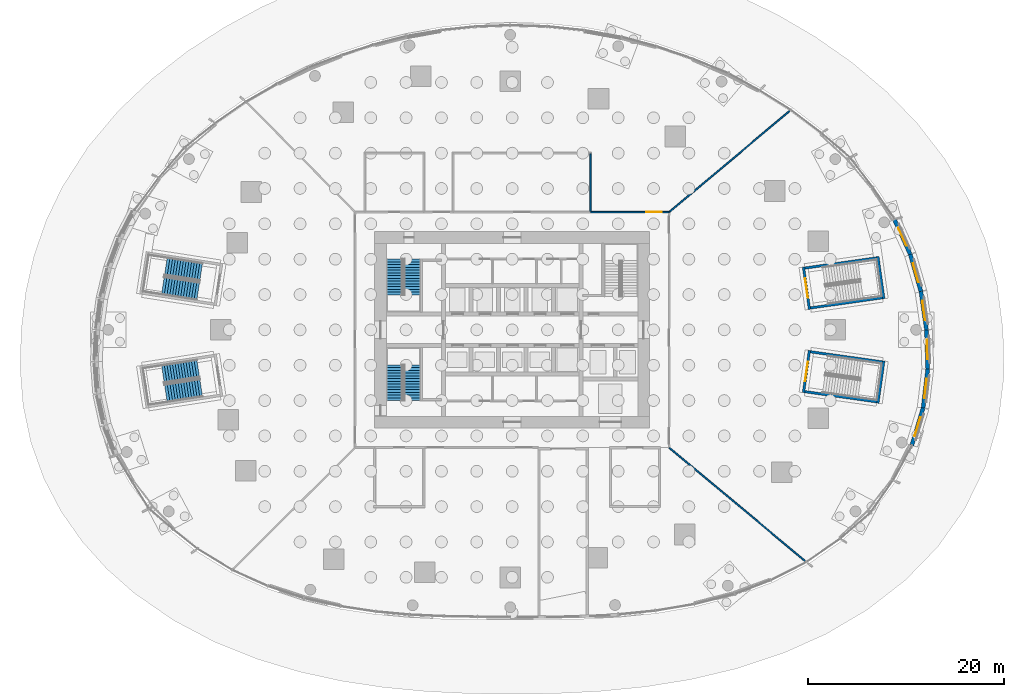
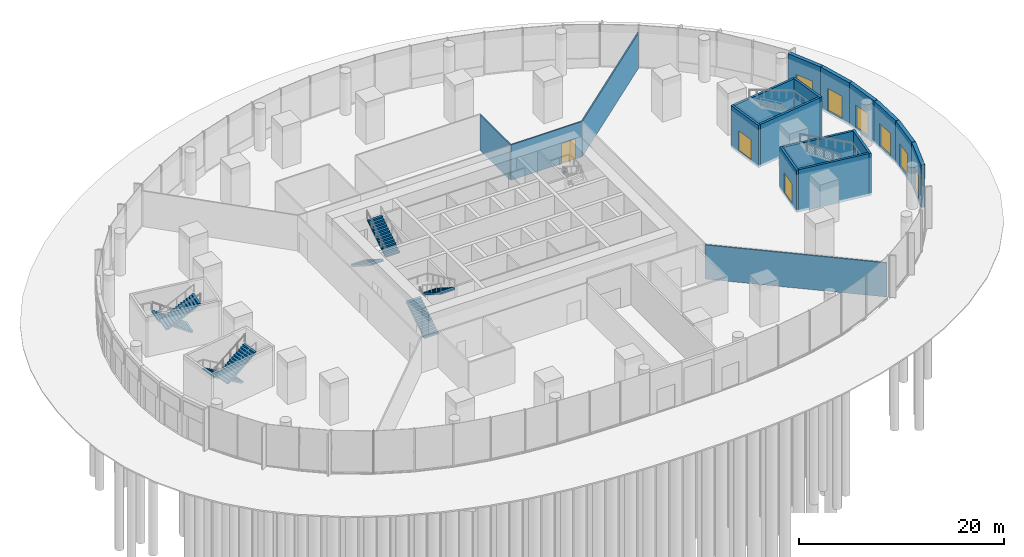
# One storey, part 15 of 29: 18 walls, 9 doors, 8 stair flights, 9 openings, 4 elements without a shape of their own.
"""IFC4 building model written with IfcOpenShell, lengths in metres."""

from ifc_helpers import new_model, si_unit, direction, frame, frame_2d, origin, place, context, subcontext, project, spatial, polyline, rectangle, outline, extrude, material, layer, layer_set, type_object, element, fill, aggregate, save


model = new_model("IFC4")

# Units and contexts
model_context = context("Model", 3, precision=1e-05, world=origin(), true_north=direction((0.0, 1.0)))
body_context = subcontext(model_context, "Body", "Model", "MODEL_VIEW")
ifc_project = project(units=[si_unit("LENGTHUNIT", "METRE"), si_unit("AREAUNIT", "SQUARE_METRE"), si_unit("VOLUMEUNIT", "CUBIC_METRE"), si_unit("PLANEANGLEUNIT", "RADIAN"), si_unit("MASSUNIT", "GRAM", prefix="KILO")], contexts=[model_context])

# Site, building, storey
site_placement = place(None, origin())
site = spatial("IfcSite", under=ifc_project, at=site_placement, CompositionType="ELEMENT")
building_placement = place(site_placement, origin())
building = spatial("IfcBuilding", under=site, at=building_placement, Name="Ghaith Harvest Tower", CompositionType="ELEMENT")
storey_placement = place(building_placement, origin())
storey = spatial("IfcBuildingStorey", under=building, at=storey_placement, Name="L00", CompositionType="ELEMENT", Elevation=0.0)

# Wall, opening, door
ifc_material_1 = material(Name="Concrete C40/50, board-marked", Category="concrete")
ifc_layer_1 = layer(ifc_material_1, 0.39990234375)
ifc_layer_set_1 = layer_set([ifc_layer_1], Name="ENTRANCE PORTAL WALL 400")
wall_type_1 = type_object("IfcWallType", Name="ENTRANCE PORTAL WALL 400", PredefinedType="SOLIDWALL", material=ifc_layer_set_1)
wall_1_placement = place(storey_placement, frame((42.199951171875, 0.0, -0.300048828125), z_axis=(0.0, 0.0, 1.0), x_axis=(-0.143450967236, 0.989657425577, 0.0)))
wall_1 = element("IfcWall", 1, at=wall_1_placement, inside=storey, type_object=wall_type_1, Name="Entrance portal wall 01.1", PredefinedType="SOLIDWALL", context=body_context, shape_type="SweptSolid", body=[
    extrude(rectangle(XDim=3.95703125, YDim=0.39990234375, at=frame_2d((1.978515625, 0.0))), origin(), (0.0, 0.0, 1.0), 5.080078125),
])
opening_1_placement = place(wall_1_placement, frame((0.978515625, 0.0, 0.300048828125)))
opening_1 = element("IfcOpeningElement", 2, at=opening_1_placement, cuts=wall_1, Name="Opening ED011", PredefinedType="OPENING", context=body_context, shape_type="SweptSolid", body=[
    extrude(rectangle(XDim=2.0, YDim=2.699951171875, at=frame_2d((1.0, 1.35009765625))), frame((0.0, 0.2099609375, 0.0), z_axis=(0.0, -1.0, 0.0), x_axis=(1.0, 0.0, 0.0)), (0.0, 0.0, 1.0), 0.419921875),
])
ifc_material_2 = material(Name="Steel and glass, black", Category="steel")
door_type_1 = type_object("IfcDoorType", Name="ENTRANCE DOOR PAIR 2000x2700", OperationType="DOUBLE_DOOR_DOUBLE_SWING", PredefinedType="DOOR", material=ifc_material_2)
door_1_placement = place(opening_1_placement, origin())
door_1 = element("IfcDoor", 3, at=door_1_placement, inside=storey, type_object=door_type_1, Name="Entrance doors 01.1", OperationType="DOUBLE_DOOR_DOUBLE_SWING", OverallHeight=2.699951171875, OverallWidth=2.0, PredefinedType="DOOR", context=body_context, shape_type="SweptSolid", body=[
    extrude(rectangle(XDim=2.0, YDim=2.699951171875, at=frame_2d((1.0, 1.35009765625))), frame((0.0, 0.02490234375, 0.0), z_axis=(0.0, -1.0, 0.0), x_axis=(1.0, 0.0, 0.0)), (0.0, 0.0, 1.0), 0.050048828125),
])
fill(opening_1, door_1)

wall_2_placement = place(storey_placement, frame((41.63232421875, 3.916015625, -0.300048828125), z_axis=(0.0, 0.0, 1.0), x_axis=(-0.276434284574, 0.961032822703, 0.0)))
wall_2 = element("IfcWall", 4, at=wall_2_placement, inside=storey, type_object=wall_type_1, Name="Entrance portal wall 01.2", PredefinedType="SOLIDWALL", context=body_context, shape_type="SweptSolid", body=[
    extrude(rectangle(XDim=3.932861328125, YDim=0.39990234375, at=frame_2d((1.96630859375, 0.0))), origin(), (0.0, 0.0, 1.0), 5.080078125),
])
opening_2_placement = place(wall_2_placement, frame((0.96630859375, 0.0, 0.300048828125)))
opening_2 = element("IfcOpeningElement", 5, at=opening_2_placement, cuts=wall_2, Name="Opening ED012", PredefinedType="OPENING", context=body_context, shape_type="SweptSolid", body=[
    extrude(rectangle(XDim=2.0, YDim=2.699951171875, at=frame_2d((1.0, 1.35009765625))), frame((0.0, 0.2099609375, 0.0), z_axis=(0.0, -1.0, 0.0), x_axis=(1.0, 0.0, 0.0)), (0.0, 0.0, 1.0), 0.419921875),
])
door_2_placement = place(opening_2_placement, origin())
door_2 = element("IfcDoor", 6, at=door_2_placement, inside=storey, type_object=door_type_1, Name="Entrance doors 01.2", OperationType="DOUBLE_DOOR_DOUBLE_SWING", OverallHeight=2.699951171875, OverallWidth=2.0, PredefinedType="DOOR", context=body_context, shape_type="SweptSolid", body=[
    extrude(rectangle(XDim=2.0, YDim=2.699951171875, at=frame_2d((1.0, 1.35009765625))), frame((0.0, 0.02490234375, 0.0), z_axis=(0.0, -1.0, 0.0), x_axis=(1.0, 0.0, 0.0)), (0.0, 0.0, 1.0), 0.050048828125),
])
fill(opening_2, door_2)

wall_3_placement = place(storey_placement, frame((40.545166015625, 7.695556640625, -0.300048828125), z_axis=(0.0, 0.0, 1.0), x_axis=(-0.413854746865, 0.910342929064, 0.0)))
wall_3 = element("IfcWall", 7, at=wall_3_placement, inside=storey, type_object=wall_type_1, Name="Entrance portal wall 01.3", PredefinedType="SOLIDWALL", context=body_context, shape_type="SweptSolid", body=[
    extrude(rectangle(XDim=3.90576171875, YDim=0.39990234375, at=frame_2d((1.952880859375, 0.0))), origin(), (0.0, 0.0, 1.0), 5.080078125),
])
opening_3_placement = place(wall_3_placement, frame((0.952880859375, 0.0, 0.300048828125)))
opening_3 = element("IfcOpeningElement", 8, at=opening_3_placement, cuts=wall_3, Name="Opening ED013", PredefinedType="OPENING", context=body_context, shape_type="SweptSolid", body=[
    extrude(rectangle(XDim=2.0, YDim=2.699951171875, at=frame_2d((1.0, 1.35009765625))), frame((0.0, 0.2099609375, 0.0), z_axis=(0.0, -1.0, 0.0), x_axis=(1.0, 0.0, 0.0)), (0.0, 0.0, 1.0), 0.419921875),
])
door_3_placement = place(opening_3_placement, origin())
door_3 = element("IfcDoor", 9, at=door_3_placement, inside=storey, type_object=door_type_1, Name="Entrance doors 01.3", OperationType="DOUBLE_DOOR_DOUBLE_SWING", OverallHeight=2.699951171875, OverallWidth=2.0, PredefinedType="DOOR", context=body_context, shape_type="SweptSolid", body=[
    extrude(rectangle(XDim=2.0, YDim=2.699951171875, at=frame_2d((1.0, 1.35009765625))), frame((0.0, 0.02490234375, 0.0), z_axis=(0.0, -1.0, 0.0), x_axis=(1.0, 0.0, 0.0)), (0.0, 0.0, 1.0), 0.050048828125),
])
fill(opening_3, door_3)

wall_4_placement = place(storey_placement, frame((40.70556640625, -11.7646484375, -0.300048828125), z_axis=(0.0, 0.0, 1.0), x_axis=(0.288745356565, 0.957405932226, 0.0)))
wall_4 = element("IfcWall", 10, at=wall_4_placement, inside=storey, type_object=wall_type_1, Name="Entrance portal wall 20.1", PredefinedType="SOLIDWALL", context=body_context, shape_type="SweptSolid", body=[
    extrude(rectangle(XDim=3.989990234375, YDim=0.39990234375, at=frame_2d((1.9951171875, 0.0))), origin(), (0.0, 0.0, 1.0), 5.080078125),
])
opening_4_placement = place(wall_4_placement, frame((0.9951171875, 0.0, 0.300048828125)))
opening_4 = element("IfcOpeningElement", 11, at=opening_4_placement, cuts=wall_4, Name="Opening ED201", PredefinedType="OPENING", context=body_context, shape_type="SweptSolid", body=[
    extrude(rectangle(XDim=2.0, YDim=2.699951171875, at=frame_2d((1.0, 1.35009765625))), frame((0.0, 0.2099609375, 0.0), z_axis=(0.0, -1.0, 0.0), x_axis=(1.0, 0.0, 0.0)), (0.0, 0.0, 1.0), 0.419921875),
])
door_4_placement = place(opening_4_placement, origin())
door_4 = element("IfcDoor", 12, at=door_4_placement, inside=storey, type_object=door_type_1, Name="Entrance doors 20.1", OperationType="DOUBLE_DOOR_DOUBLE_SWING", OverallHeight=2.699951171875, OverallWidth=2.0, PredefinedType="DOOR", context=body_context, shape_type="SweptSolid", body=[
    extrude(rectangle(XDim=2.0, YDim=2.699951171875, at=frame_2d((1.0, 1.35009765625))), frame((0.0, 0.02490234375, 0.0), z_axis=(0.0, -1.0, 0.0), x_axis=(1.0, 0.0, 0.0)), (0.0, 0.0, 1.0), 0.050048828125),
])
fill(opening_4, door_4)

wall_5_placement = place(storey_placement, frame((41.857666015625, -7.944580078125, -0.300048828125), z_axis=(0.0, 0.0, 1.0), x_axis=(0.117941453897, 0.993020550368, 0.0)))
wall_5 = element("IfcWall", 13, at=wall_5_placement, inside=storey, type_object=wall_type_1, Name="Entrance portal wall 20.2", PredefinedType="SOLIDWALL", context=body_context, shape_type="SweptSolid", body=[
    extrude(rectangle(XDim=3.990966796875, YDim=0.39990234375, at=frame_2d((1.99560546875, 0.0))), origin(), (0.0, 0.0, 1.0), 5.080078125),
])
opening_5_placement = place(wall_5_placement, frame((0.99560546875, 0.0, 0.300048828125)))
opening_5 = element("IfcOpeningElement", 14, at=opening_5_placement, cuts=wall_5, Name="Opening ED202", PredefinedType="OPENING", context=body_context, shape_type="SweptSolid", body=[
    extrude(rectangle(XDim=2.0, YDim=2.699951171875, at=frame_2d((1.0, 1.35009765625))), frame((0.0, 0.2099609375, 0.0), z_axis=(0.0, -1.0, 0.0), x_axis=(1.0, 0.0, 0.0)), (0.0, 0.0, 1.0), 0.419921875),
])
door_5_placement = place(opening_5_placement, origin())
door_5 = element("IfcDoor", 15, at=door_5_placement, inside=storey, type_object=door_type_1, Name="Entrance doors 20.2", OperationType="DOUBLE_DOOR_DOUBLE_SWING", OverallHeight=2.699951171875, OverallWidth=2.0, PredefinedType="DOOR", context=body_context, shape_type="SweptSolid", body=[
    extrude(rectangle(XDim=2.0, YDim=2.699951171875, at=frame_2d((1.0, 1.35009765625))), frame((0.0, 0.02490234375, 0.0), z_axis=(0.0, -1.0, 0.0), x_axis=(1.0, 0.0, 0.0)), (0.0, 0.0, 1.0), 0.050048828125),
])
fill(opening_5, door_5)

wall_6_placement = place(storey_placement, frame((42.328369140625, -3.9814453125, -0.300048828125), z_axis=(0.0, 0.0, 1.0), x_axis=(-0.032237344074, 0.999480241749, 0.0)))
wall_6 = element("IfcWall", 16, at=wall_6_placement, inside=storey, type_object=wall_type_1, Name="Entrance portal wall 20.3", PredefinedType="SOLIDWALL", context=body_context, shape_type="SweptSolid", body=[
    extrude(rectangle(XDim=3.9833984375, YDim=0.39990234375, at=frame_2d((1.99169921875, 0.0))), origin(), (0.0, 0.0, 1.0), 5.080078125),
])
opening_6_placement = place(wall_6_placement, frame((0.99169921875, 0.0, 0.300048828125)))
opening_6 = element("IfcOpeningElement", 17, at=opening_6_placement, cuts=wall_6, Name="Opening ED203", PredefinedType="OPENING", context=body_context, shape_type="SweptSolid", body=[
    extrude(rectangle(XDim=2.0, YDim=2.699951171875, at=frame_2d((1.0, 1.35009765625))), frame((0.0, 0.2099609375, 0.0), z_axis=(0.0, -1.0, 0.0), x_axis=(1.0, 0.0, 0.0)), (0.0, 0.0, 1.0), 0.419921875),
])
door_6_placement = place(opening_6_placement, origin())
door_6 = element("IfcDoor", 18, at=door_6_placement, inside=storey, type_object=door_type_1, Name="Entrance doors 20.3", OperationType="DOUBLE_DOOR_DOUBLE_SWING", OverallHeight=2.699951171875, OverallWidth=2.0, PredefinedType="DOOR", context=body_context, shape_type="SweptSolid", body=[
    extrude(rectangle(XDim=2.0, YDim=2.699951171875, at=frame_2d((1.0, 1.35009765625))), frame((0.0, 0.02490234375, 0.0), z_axis=(0.0, -1.0, 0.0), x_axis=(1.0, 0.0, 0.0)), (0.0, 0.0, 1.0), 0.050048828125),
])
fill(opening_6, door_6)

# Wall
ifc_material_3 = material(Name="Gypsum board on steel studs", Category="steel")
ifc_layer_2 = layer(ifc_material_3, 0.14990234375)
ifc_layer_set_2 = layer_set([ifc_layer_2], Name="PARTITION 150")
wall_type_2 = type_object("IfcWallType", Name="PARTITION 150", PredefinedType="PARTITIONING", material=ifc_layer_set_2)
wall_7_placement = place(storey_placement, frame((16.015380859375, 12.012939453125, 0.0), z_axis=(0.0, 0.0, 1.0), x_axis=(0.765915114931, 0.642941705538, 0.0)))
element("IfcWall", 19, at=wall_7_placement, inside=storey, type_object=wall_type_2, Name="Partition L00 zone division", PredefinedType="PARTITIONING", context=body_context, shape_type="SweptSolid", body=[
    extrude(rectangle(XDim=16.009521484375, YDim=0.14990234375, at=frame_2d((8.0048828125, 0.0))), origin(), (0.0, 0.0, 1.0), 4.199951171875),
])

# Wall, opening, door
wall_8_placement = place(storey_placement, frame((16.0, 12.0, 0.0), z_axis=(0.0, 0.0, 1.0), x_axis=(-1.0, 0.0, 0.0)))
wall_8 = element("IfcWall", 20, at=wall_8_placement, inside=storey, type_object=wall_type_2, Name="Partition L00 zone enclosure", PredefinedType="PARTITIONING", context=body_context, shape_type="SweptSolid", body=[
    extrude(rectangle(XDim=8.0, YDim=0.14990234375, at=frame_2d((4.0, 0.0))), origin(), (0.0, 0.0, 1.0), 4.199951171875),
])
opening_7_placement = place(wall_8_placement, frame((0.75, 0.0, 0.0)))
opening_7 = element("IfcOpeningElement", 21, at=opening_7_placement, cuts=wall_8, Name="Opening 00-040", PredefinedType="OPENING", context=body_context, shape_type="SweptSolid", body=[
    extrude(rectangle(XDim=1.60009765625, YDim=2.39990234375, at=frame_2d((0.800048828125, 1.199951171875))), frame((0.0, 0.0849609375, 0.0), z_axis=(0.0, -1.0, 0.0), x_axis=(1.0, 0.0, 0.0)), (0.0, 0.0, 1.0), 0.169921875),
])
ifc_material_4 = material(Name="Timber door", Category="wood")
door_type_2 = type_object("IfcDoorType", Name="D2 PAIR 1600x2400", OperationType="DOUBLE_DOOR_SINGLE_SWING", PredefinedType="DOOR", material=ifc_material_4)
door_7_placement = place(opening_7_placement, origin())
door_7 = element("IfcDoor", 22, at=door_7_placement, inside=storey, type_object=door_type_2, Name="Farm market north door", OperationType="DOUBLE_DOOR_SINGLE_SWING", OverallHeight=2.39990234375, OverallWidth=1.60009765625, PredefinedType="DOOR", context=body_context, shape_type="SweptSolid", body=[
    extrude(rectangle(XDim=1.60009765625, YDim=2.39990234375, at=frame_2d((0.800048828125, 1.199951171875))), frame((0.0, 0.02490234375, 0.0), z_axis=(0.0, -1.0, 0.0), x_axis=(1.0, 0.0, 0.0)), (0.0, 0.0, 1.0), 0.050048828125),
])
fill(opening_7, door_7)

# Walls
wall_9_placement = place(storey_placement, frame((8.0, 12.074951171875, 0.0), z_axis=(0.0, 0.0, 1.0), x_axis=(0.0, 1.0, 0.0)))
element("IfcWall", 23, at=wall_9_placement, inside=storey, type_object=wall_type_2, Name="Partition L00-02", PredefinedType="PARTITIONING", context=body_context, shape_type="SweptSolid", body=[
    extrude(rectangle(XDim=5.85009765625, YDim=0.14990234375, at=frame_2d((2.925048828125, 0.0))), origin(), (0.0, 0.0, 1.0), 4.199951171875),
])
ifc_material_5 = material(Name="Gypsum board on steel studs", Category="steel")
ifc_layer_3 = layer(ifc_material_5, 0.14990234375)
ifc_layer_set_3 = layer_set([ifc_layer_3], Name="PARTITION 150H")
wall_type_3 = type_object("IfcWallType", Name="PARTITION 150H", PredefinedType="PARTITIONING", material=ifc_layer_set_3)
wall_10_placement = place(storey_placement, frame((16.015380859375, -12.0126953125, 0.0), z_axis=(0.0, 0.0, 1.0), x_axis=(0.768089154528, -0.640342916488, 0.0)))
element("IfcWall", 24, at=wall_10_placement, inside=storey, type_object=wall_type_3, Name="Partition L00 zone division", PredefinedType="PARTITIONING", context=body_context, shape_type="SweptSolid", body=[
    extrude(rectangle(XDim=18.02587890625, YDim=0.14990234375, at=frame_2d((9.012939453125, 0.0))), origin(), (0.0, 0.0, 1.0), 4.06591796875),
])

# Wall, opening, door
ifc_material_6 = material(Name="Concrete C40/50", Category="concrete")
ifc_layer_4 = layer(ifc_material_6, 0.25)
ifc_layer_set_4 = layer_set([ifc_layer_4], Name="STAIR ENCLOSURE WALL RC250")
wall_type_4 = type_object("IfcWallType", Name="STAIR ENCLOSURE WALL RC250", PredefinedType="SOLIDWALL", material=ifc_layer_set_4)
wall_11_placement = place(storey_placement, frame((30.281005859375, 2.09130859375, -0.300048828125), z_axis=(0.0, 0.0, 1.0), x_axis=(-0.140250538563, 0.990116046952, 0.0)))
wall_11 = element("IfcWall", 25, at=wall_11_placement, inside=storey, type_object=wall_type_4, Name="Stair PS1 enclosure wall L00", PredefinedType="SOLIDWALL", context=body_context, shape_type="SweptSolid", body=[
    extrude(rectangle(XDim=4.35009765625, YDim=0.25, at=frame_2d((2.175048828125, 0.0))), origin(), (0.0, 0.0, 1.0), 5.050048828125),
])
opening_8_placement = place(wall_11_placement, frame((1.175048828125, 0.0, 0.300048828125)))
opening_8 = element("IfcOpeningElement", 26, at=opening_8_placement, cuts=wall_11, Name="Opening 00-030", PredefinedType="OPENING", context=body_context, shape_type="SweptSolid", body=[
    extrude(rectangle(XDim=2.0, YDim=2.39990234375, at=frame_2d((1.0, 1.199951171875))), frame((0.0, 0.135009765625, 0.0), z_axis=(0.0, -1.0, 0.0), x_axis=(1.0, 0.0, 0.0)), (0.0, 0.0, 1.0), 0.27001953125),
])
ifc_material_7 = material(Name="Steel fire door", Category="steel")
door_type_3 = type_object("IfcDoorType", Name="D8 FD90 PAIR 2000x2400", OperationType="DOUBLE_DOOR_SINGLE_SWING", PredefinedType="DOOR", material=ifc_material_7)
door_8_placement = place(opening_8_placement, origin())
door_8 = element("IfcDoor", 27, at=door_8_placement, inside=storey, type_object=door_type_3, Name="Stair PS1 doors", OperationType="DOUBLE_DOOR_SINGLE_SWING", OverallHeight=2.39990234375, OverallWidth=2.0, PredefinedType="DOOR", context=body_context, shape_type="SweptSolid", body=[
    extrude(rectangle(XDim=2.0, YDim=2.39990234375, at=frame_2d((1.0, 1.199951171875))), frame((0.0, 0.02490234375, 0.0), z_axis=(0.0, -1.0, 0.0), x_axis=(1.0, 0.0, 0.0)), (0.0, 0.0, 1.0), 0.050048828125),
])
fill(opening_8, door_8)

# Walls
wall_12_placement = place(storey_placement, frame((37.245361328125, 7.47119140625, -0.300048828125), z_axis=(0.0, 0.0, 1.0), x_axis=(0.140195519194, -0.99012383892, 0.0)))
element("IfcWall", 28, at=wall_12_placement, inside=storey, type_object=wall_type_4, Name="Stair PS1 enclosure wall L00", PredefinedType="SOLIDWALL", context=body_context, shape_type="SweptSolid", body=[
    extrude(rectangle(XDim=4.35009765625, YDim=0.25, at=frame_2d((2.175048828125, 0.0))), origin(), (0.0, 0.0, 1.0), 5.050048828125),
])
for number, where, z_axis, x_axis, name in (
    (29, (30.38720703125, 2.232666015625, -0.300048828125), (0.0, 0.0, 1.0), (0.990120977541, 0.140215726052, 0.0), "Stair PS1 enclosure wall L00"),
    (30, (37.13916015625, 7.329833984375, -0.300048828125), (0.0, 0.0, 1.0), (-0.990120977541, -0.140215726052, 0.0), "Stair PS1 enclosure wall L00"),
):
    element("IfcWall", number, at=place(storey_placement, frame(where, z_axis=z_axis, x_axis=x_axis)), inside=storey, type_object=wall_type_4, Name=name, PredefinedType="SOLIDWALL", context=body_context, shape_type="SweptSolid", body=[
        extrude(rectangle(XDim=7.39990234375, YDim=0.25, at=frame_2d((3.699951171875, 0.0))), origin(), (0.0, 0.0, 1.0), 5.050048828125),
    ])

# Wall, opening, door
wall_13_placement = place(storey_placement, frame((29.6708984375, -6.3984375, -0.300048828125), z_axis=(0.0, 0.0, 1.0), x_axis=(0.140250538563, 0.990116046952, 0.0)))
wall_13 = element("IfcWall", 31, at=wall_13_placement, inside=storey, type_object=wall_type_4, Name="Stair PS4 enclosure wall L00", PredefinedType="SOLIDWALL", context=body_context, shape_type="SweptSolid", body=[
    extrude(rectangle(XDim=4.35009765625, YDim=0.25, at=frame_2d((2.175048828125, 0.0))), origin(), (0.0, 0.0, 1.0), 5.050048828125),
])
opening_9_placement = place(wall_13_placement, frame((1.175048828125, 0.0, 0.300048828125)))
opening_9 = element("IfcOpeningElement", 32, at=opening_9_placement, cuts=wall_13, Name="Opening 00-033", PredefinedType="OPENING", context=body_context, shape_type="SweptSolid", body=[
    extrude(rectangle(XDim=2.0, YDim=2.39990234375, at=frame_2d((1.0, 1.199951171875))), frame((0.0, 0.135009765625, 0.0), z_axis=(0.0, -1.0, 0.0), x_axis=(1.0, 0.0, 0.0)), (0.0, 0.0, 1.0), 0.27001953125),
])
door_9_placement = place(opening_9_placement, origin())
door_9 = element("IfcDoor", 33, at=door_9_placement, inside=storey, type_object=door_type_3, Name="Stair PS4 doors", OperationType="DOUBLE_DOOR_SINGLE_SWING", OverallHeight=2.39990234375, OverallWidth=2.0, PredefinedType="DOOR", context=body_context, shape_type="SweptSolid", body=[
    extrude(rectangle(XDim=2.0, YDim=2.39990234375, at=frame_2d((1.0, 1.199951171875))), frame((0.0, 0.02490234375, 0.0), z_axis=(0.0, -1.0, 0.0), x_axis=(1.0, 0.0, 0.0)), (0.0, 0.0, 1.0), 0.050048828125),
])
fill(opening_9, door_9)

# Walls
wall_14_placement = place(storey_placement, frame((37.855224609375, -3.1640625, -0.300048828125), z_axis=(0.0, 0.0, 1.0), x_axis=(-0.140195519194, -0.99012383892, 0.0)))
element("IfcWall", 34, at=wall_14_placement, inside=storey, type_object=wall_type_4, Name="Stair PS4 enclosure wall L00", PredefinedType="SOLIDWALL", context=body_context, shape_type="SweptSolid", body=[
    extrude(rectangle(XDim=4.35009765625, YDim=0.25, at=frame_2d((2.175048828125, 0.0))), origin(), (0.0, 0.0, 1.0), 5.050048828125),
])
for number, where, z_axis, x_axis, name in (
    (35, (29.812255859375, -6.292236328125, -0.300048828125), (0.0, 0.0, 1.0), (0.990120977541, -0.140215726052, 0.0), "Stair PS4 enclosure wall L00"),
    (36, (37.714111328125, -3.270263671875, -0.300048828125), (0.0, 0.0, 1.0), (-0.990120977541, 0.140215726052, 0.0), "Stair PS4 enclosure wall L00"),
):
    element("IfcWall", number, at=place(storey_placement, frame(where, z_axis=z_axis, x_axis=x_axis)), inside=storey, type_object=wall_type_4, Name=name, PredefinedType="SOLIDWALL", context=body_context, shape_type="SweptSolid", body=[
        extrude(rectangle(XDim=7.39990234375, YDim=0.25, at=frame_2d((3.699951171875, 0.0))), origin(), (0.0, 0.0, 1.0), 5.050048828125),
    ])

# Stair, stair flights
ifc_material_8 = material(Name="Concrete C40/50, precast", Category="concrete")
stair_type_1 = type_object("IfcStairType", Name="CORE STAIR 28R", PredefinedType="HALF_TURN_STAIR", material=ifc_material_8)
stair_1_placement = place(storey_placement, origin())
stair_1 = element("IfcStair", 37, at=stair_1_placement, inside=storey, type_object=stair_type_1, Name="Stair ST1 L00", PredefinedType="HALF_TURN_STAIR")
ifc_material_9 = material(Name="Concrete C40/50, precast", Category="concrete")
stair_flight_type_1 = type_object("IfcStairFlightType", Name="CORE FLIGHT 14R 1600", PredefinedType="STRAIGHT", material=ifc_material_9)
stair_flight_1_placement = place(storey_placement, frame((-12.0, 7.199951171875, 0.0), z_axis=(0.0, 0.0, 1.0), x_axis=(0.0, -1.0, 0.0)))
stair_flight_1 = element("IfcStairFlight", 38, at=stair_flight_1_placement, type_object=stair_flight_type_1, Name="ST1 flight 1", NumberOfRisers=14, NumberOfTreads=13, PredefinedType="STRAIGHT", RiserHeight=0.178571429, TreadLength=0.28, context=body_context, shape_type="SweptSolid", body=[
    extrude(outline(polyline([(0.0, 0.0), (0.0, 0.178466796875), (0.280029296875, 0.178466796875), (0.280029296875, 0.357177734375), (0.56005859375, 0.357177734375), (0.56005859375, 0.53564453125), (0.840087890625, 0.53564453125), (0.840087890625, 0.71435546875), (1.1201171875, 0.71435546875), (1.1201171875, 0.892822265625), (1.39990234375, 0.892822265625), (1.39990234375, 1.071533203125), (1.679931640625, 1.071533203125), (1.679931640625, 1.25), (1.9599609375, 1.25), (1.9599609375, 1.428466796875), (2.239990234375, 1.428466796875), (2.239990234375, 1.607177734375), (2.52001953125, 1.607177734375), (2.52001953125, 1.78564453125), (2.800048828125, 1.78564453125), (2.800048828125, 1.96435546875), (3.080078125, 1.96435546875), (3.080078125, 2.142822265625), (3.360107421875, 2.142822265625), (3.360107421875, 2.321533203125), (3.639892578125, 2.321533203125), (3.639892578125, 2.5), (3.639892578125, 2.1435546875), (0.27880859375, 0.0), (0.0, 0.0)])), frame((0.0, 0.800048828125, 0.0), z_axis=(0.0, -1.0, 0.0), x_axis=(1.0, 0.0, 0.0)), (0.0, 0.0, 1.0), 1.60009765625),
])
stair_flight_2_placement = place(storey_placement, frame((-10.14990234375, 3.56005859375, 2.5), z_axis=(0.0, 0.0, 1.0), x_axis=(0.0, 1.0, 0.0)))
stair_flight_2 = element("IfcStairFlight", 39, at=stair_flight_2_placement, type_object=stair_flight_type_1, Name="ST1 flight 2", NumberOfRisers=14, NumberOfTreads=13, PredefinedType="STRAIGHT", RiserHeight=0.178571429, TreadLength=0.28, context=body_context, shape_type="SweptSolid", body=[
    extrude(outline(polyline([(0.0, 0.0), (0.0, 0.178466796875), (0.280029296875, 0.178466796875), (0.280029296875, 0.357177734375), (0.56005859375, 0.357177734375), (0.56005859375, 0.53564453125), (0.840087890625, 0.53564453125), (0.840087890625, 0.71435546875), (1.1201171875, 0.71435546875), (1.1201171875, 0.892822265625), (1.39990234375, 0.892822265625), (1.39990234375, 1.071533203125), (1.679931640625, 1.071533203125), (1.679931640625, 1.25), (1.9599609375, 1.25), (1.9599609375, 1.428466796875), (2.239990234375, 1.428466796875), (2.239990234375, 1.607177734375), (2.52001953125, 1.607177734375), (2.52001953125, 1.78564453125), (2.800048828125, 1.78564453125), (2.800048828125, 1.96435546875), (3.080078125, 1.96435546875), (3.080078125, 2.142822265625), (3.360107421875, 2.142822265625), (3.360107421875, 2.321533203125), (3.639892578125, 2.321533203125), (3.639892578125, 2.5), (3.639892578125, 2.1435546875), (0.27880859375, 0.0), (0.0, 0.0)])), frame((0.0, 0.800048828125, 0.0), z_axis=(0.0, -1.0, 0.0), x_axis=(1.0, 0.0, 0.0)), (0.0, 0.0, 1.0), 1.60009765625),
])
aggregate(stair_1, [stair_flight_1, stair_flight_2])

stair_2_placement = place(storey_placement, origin())
stair_2 = element("IfcStair", 40, at=stair_2_placement, inside=storey, type_object=stair_type_1, Name="Stair ST3 L00", PredefinedType="HALF_TURN_STAIR")
stair_flight_3_placement = place(storey_placement, frame((-12.0, -7.199951171875, 0.0), z_axis=(0.0, 0.0, 1.0), x_axis=(0.0, 1.0, 0.0)))
stair_flight_3 = element("IfcStairFlight", 41, at=stair_flight_3_placement, type_object=stair_flight_type_1, Name="ST3 flight 1", NumberOfRisers=14, NumberOfTreads=13, PredefinedType="STRAIGHT", RiserHeight=0.178571429, TreadLength=0.28, context=body_context, shape_type="SweptSolid", body=[
    extrude(outline(polyline([(0.0, 0.0), (0.0, 0.178466796875), (0.280029296875, 0.178466796875), (0.280029296875, 0.357177734375), (0.56005859375, 0.357177734375), (0.56005859375, 0.53564453125), (0.840087890625, 0.53564453125), (0.840087890625, 0.71435546875), (1.1201171875, 0.71435546875), (1.1201171875, 0.892822265625), (1.39990234375, 0.892822265625), (1.39990234375, 1.071533203125), (1.679931640625, 1.071533203125), (1.679931640625, 1.25), (1.9599609375, 1.25), (1.9599609375, 1.428466796875), (2.239990234375, 1.428466796875), (2.239990234375, 1.607177734375), (2.52001953125, 1.607177734375), (2.52001953125, 1.78564453125), (2.800048828125, 1.78564453125), (2.800048828125, 1.96435546875), (3.080078125, 1.96435546875), (3.080078125, 2.142822265625), (3.360107421875, 2.142822265625), (3.360107421875, 2.321533203125), (3.639892578125, 2.321533203125), (3.639892578125, 2.5), (3.639892578125, 2.1435546875), (0.27880859375, 0.0), (0.0, 0.0)])), frame((0.0, 0.800048828125, 0.0), z_axis=(0.0, -1.0, 0.0), x_axis=(1.0, 0.0, 0.0)), (0.0, 0.0, 1.0), 1.60009765625),
])
stair_flight_4_placement = place(storey_placement, frame((-10.14990234375, -3.56005859375, 2.5), z_axis=(0.0, 0.0, 1.0), x_axis=(0.0, -1.0, 0.0)))
stair_flight_4 = element("IfcStairFlight", 42, at=stair_flight_4_placement, type_object=stair_flight_type_1, Name="ST3 flight 2", NumberOfRisers=14, NumberOfTreads=13, PredefinedType="STRAIGHT", RiserHeight=0.178571429, TreadLength=0.28, context=body_context, shape_type="SweptSolid", body=[
    extrude(outline(polyline([(0.0, 0.0), (0.0, 0.178466796875), (0.280029296875, 0.178466796875), (0.280029296875, 0.357177734375), (0.56005859375, 0.357177734375), (0.56005859375, 0.53564453125), (0.840087890625, 0.53564453125), (0.840087890625, 0.71435546875), (1.1201171875, 0.71435546875), (1.1201171875, 0.892822265625), (1.39990234375, 0.892822265625), (1.39990234375, 1.071533203125), (1.679931640625, 1.071533203125), (1.679931640625, 1.25), (1.9599609375, 1.25), (1.9599609375, 1.428466796875), (2.239990234375, 1.428466796875), (2.239990234375, 1.607177734375), (2.52001953125, 1.607177734375), (2.52001953125, 1.78564453125), (2.800048828125, 1.78564453125), (2.800048828125, 1.96435546875), (3.080078125, 1.96435546875), (3.080078125, 2.142822265625), (3.360107421875, 2.142822265625), (3.360107421875, 2.321533203125), (3.639892578125, 2.321533203125), (3.639892578125, 2.5), (3.639892578125, 2.1435546875), (0.27880859375, 0.0), (0.0, 0.0)])), frame((0.0, 0.800048828125, 0.0), z_axis=(0.0, -1.0, 0.0), x_axis=(1.0, 0.0, 0.0)), (0.0, 0.0, 1.0), 1.60009765625),
])
aggregate(stair_2, [stair_flight_3, stair_flight_4])

ifc_material_10 = material(Name="Concrete C40/50, precast", Category="concrete")
stair_type_2 = type_object("IfcStairType", Name="PODIUM STAIR 28R", PredefinedType="HALF_TURN_STAIR", material=ifc_material_10)
stair_3_placement = place(storey_placement, origin())
stair_3 = element("IfcStair", 43, at=stair_3_placement, inside=storey, type_object=stair_type_2, Name="Stair PS2 L00", PredefinedType="HALF_TURN_STAIR")
ifc_material_11 = material(Name="Concrete C40/50, precast", Category="concrete")
stair_flight_type_2 = type_object("IfcStairFlightType", Name="PODIUM FLIGHT 14R 1800", PredefinedType="STRAIGHT", material=ifc_material_11)
stair_flight_5_placement = place(storey_placement, frame((-31.6650390625, 5.934814453125, 0.0), z_axis=(0.0, 0.0, 1.0), x_axis=(-0.988249264984, 0.152850875882, 0.0)))
stair_flight_5 = element("IfcStairFlight", 44, at=stair_flight_5_placement, type_object=stair_flight_type_2, Name="PS2 flight 1", NumberOfRisers=14, NumberOfTreads=13, PredefinedType="STRAIGHT", RiserHeight=0.178571429, TreadLength=0.28, context=body_context, shape_type="SweptSolid", body=[
    extrude(outline(polyline([(0.0, 0.0), (0.0, 0.178466796875), (0.280029296875, 0.178466796875), (0.280029296875, 0.357177734375), (0.56005859375, 0.357177734375), (0.56005859375, 0.53564453125), (0.840087890625, 0.53564453125), (0.840087890625, 0.71435546875), (1.1201171875, 0.71435546875), (1.1201171875, 0.892822265625), (1.39990234375, 0.892822265625), (1.39990234375, 1.071533203125), (1.679931640625, 1.071533203125), (1.679931640625, 1.25), (1.9599609375, 1.25), (1.9599609375, 1.428466796875), (2.239990234375, 1.428466796875), (2.239990234375, 1.607177734375), (2.52001953125, 1.607177734375), (2.52001953125, 1.78564453125), (2.800048828125, 1.78564453125), (2.800048828125, 1.96435546875), (3.080078125, 1.96435546875), (3.080078125, 2.142822265625), (3.360107421875, 2.142822265625), (3.360107421875, 2.321533203125), (3.639892578125, 2.321533203125), (3.639892578125, 2.5), (3.639892578125, 2.1435546875), (0.27880859375, 0.0), (0.0, 0.0)])), frame((0.0, 0.89990234375, 0.0), z_axis=(0.0, -1.0, 0.0), x_axis=(1.0, 0.0, 0.0)), (0.0, 0.0, 1.0), 1.800048828125),
])
stair_flight_6_placement = place(storey_placement, frame((-35.575439453125, 4.465087890625, 2.5), z_axis=(0.0, 0.0, 1.0), x_axis=(0.988249264984, -0.152850875882, 0.0)))
stair_flight_6 = element("IfcStairFlight", 45, at=stair_flight_6_placement, type_object=stair_flight_type_2, Name="PS2 flight 2", NumberOfRisers=14, NumberOfTreads=13, PredefinedType="STRAIGHT", RiserHeight=0.178571429, TreadLength=0.28, context=body_context, shape_type="SweptSolid", body=[
    extrude(outline(polyline([(0.0, 0.0), (0.0, 0.178466796875), (0.280029296875, 0.178466796875), (0.280029296875, 0.357177734375), (0.56005859375, 0.357177734375), (0.56005859375, 0.53564453125), (0.840087890625, 0.53564453125), (0.840087890625, 0.71435546875), (1.1201171875, 0.71435546875), (1.1201171875, 0.892822265625), (1.39990234375, 0.892822265625), (1.39990234375, 1.071533203125), (1.679931640625, 1.071533203125), (1.679931640625, 1.25), (1.9599609375, 1.25), (1.9599609375, 1.428466796875), (2.239990234375, 1.428466796875), (2.239990234375, 1.607177734375), (2.52001953125, 1.607177734375), (2.52001953125, 1.78564453125), (2.800048828125, 1.78564453125), (2.800048828125, 1.96435546875), (3.080078125, 1.96435546875), (3.080078125, 2.142822265625), (3.360107421875, 2.142822265625), (3.360107421875, 2.321533203125), (3.639892578125, 2.321533203125), (3.639892578125, 2.5), (3.639892578125, 2.1435546875), (0.27880859375, 0.0), (0.0, 0.0)])), frame((0.0, 0.89990234375, 0.0), z_axis=(0.0, -1.0, 0.0), x_axis=(1.0, 0.0, 0.0)), (0.0, 0.0, 1.0), 1.800048828125),
])
aggregate(stair_3, [stair_flight_5, stair_flight_6])

stair_4_placement = place(storey_placement, origin())
stair_4 = element("IfcStair", 46, at=stair_4_placement, inside=storey, type_object=stair_type_2, Name="Stair PS3 L00", PredefinedType="HALF_TURN_STAIR")
stair_flight_7_placement = place(storey_placement, frame((-31.978271484375, -3.90869140625, 0.0), z_axis=(0.0, 0.0, 1.0), x_axis=(-0.988249264936, -0.152850876192, 0.0)))
stair_flight_7 = element("IfcStairFlight", 47, at=stair_flight_7_placement, type_object=stair_flight_type_2, Name="PS3 flight 1", NumberOfRisers=14, NumberOfTreads=13, PredefinedType="STRAIGHT", RiserHeight=0.178571429, TreadLength=0.28, context=body_context, shape_type="SweptSolid", body=[
    extrude(outline(polyline([(0.0, 0.0), (0.0, 0.178466796875), (0.280029296875, 0.178466796875), (0.280029296875, 0.357177734375), (0.56005859375, 0.357177734375), (0.56005859375, 0.53564453125), (0.840087890625, 0.53564453125), (0.840087890625, 0.71435546875), (1.1201171875, 0.71435546875), (1.1201171875, 0.892822265625), (1.39990234375, 0.892822265625), (1.39990234375, 1.071533203125), (1.679931640625, 1.071533203125), (1.679931640625, 1.25), (1.9599609375, 1.25), (1.9599609375, 1.428466796875), (2.239990234375, 1.428466796875), (2.239990234375, 1.607177734375), (2.52001953125, 1.607177734375), (2.52001953125, 1.78564453125), (2.800048828125, 1.78564453125), (2.800048828125, 1.96435546875), (3.080078125, 1.96435546875), (3.080078125, 2.142822265625), (3.360107421875, 2.142822265625), (3.360107421875, 2.321533203125), (3.639892578125, 2.321533203125), (3.639892578125, 2.5), (3.639892578125, 2.1435546875), (0.27880859375, 0.0), (0.0, 0.0)])), frame((0.0, 0.89990234375, 0.0), z_axis=(0.0, -1.0, 0.0), x_axis=(1.0, 0.0, 0.0)), (0.0, 0.0, 1.0), 1.800048828125),
])
stair_flight_8_placement = place(storey_placement, frame((-35.26220703125, -6.4912109375, 2.5), z_axis=(0.0, 0.0, 1.0), x_axis=(0.988249264936, 0.152850876192, 0.0)))
stair_flight_8 = element("IfcStairFlight", 48, at=stair_flight_8_placement, type_object=stair_flight_type_2, Name="PS3 flight 2", NumberOfRisers=14, NumberOfTreads=13, PredefinedType="STRAIGHT", RiserHeight=0.178571429, TreadLength=0.28, context=body_context, shape_type="SweptSolid", body=[
    extrude(outline(polyline([(0.0, 0.0), (0.0, 0.178466796875), (0.280029296875, 0.178466796875), (0.280029296875, 0.357177734375), (0.56005859375, 0.357177734375), (0.56005859375, 0.53564453125), (0.840087890625, 0.53564453125), (0.840087890625, 0.71435546875), (1.1201171875, 0.71435546875), (1.1201171875, 0.892822265625), (1.39990234375, 0.892822265625), (1.39990234375, 1.071533203125), (1.679931640625, 1.071533203125), (1.679931640625, 1.25), (1.9599609375, 1.25), (1.9599609375, 1.428466796875), (2.239990234375, 1.428466796875), (2.239990234375, 1.607177734375), (2.52001953125, 1.607177734375), (2.52001953125, 1.78564453125), (2.800048828125, 1.78564453125), (2.800048828125, 1.96435546875), (3.080078125, 1.96435546875), (3.080078125, 2.142822265625), (3.360107421875, 2.142822265625), (3.360107421875, 2.321533203125), (3.639892578125, 2.321533203125), (3.639892578125, 2.5), (3.639892578125, 2.1435546875), (0.27880859375, 0.0), (0.0, 0.0)])), frame((0.0, 0.89990234375, 0.0), z_axis=(0.0, -1.0, 0.0), x_axis=(1.0, 0.0, 0.0)), (0.0, 0.0, 1.0), 1.800048828125),
])
aggregate(stair_4, [stair_flight_7, stair_flight_8])

save(model, "model.ifc")
